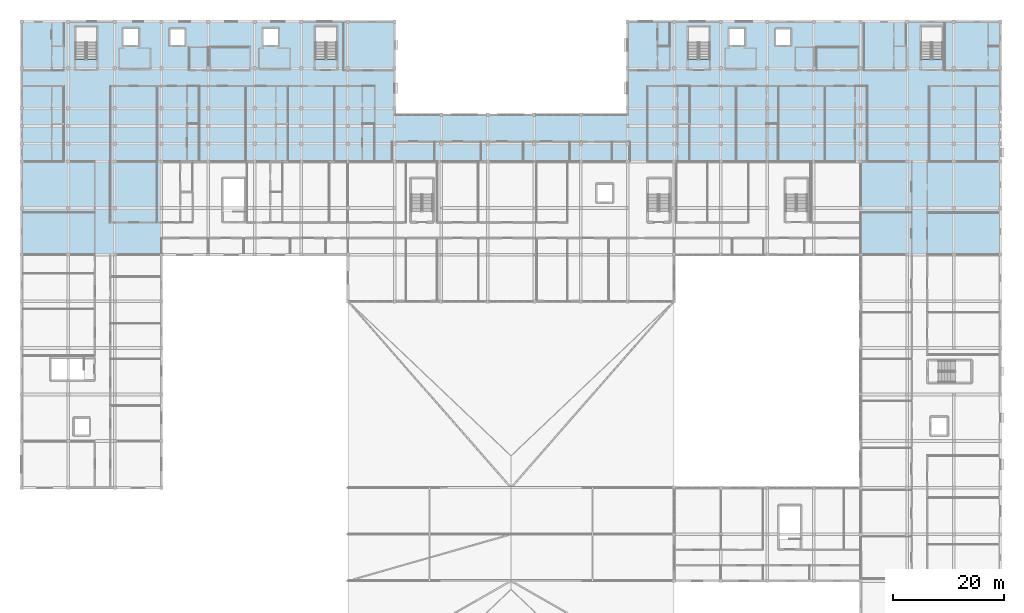
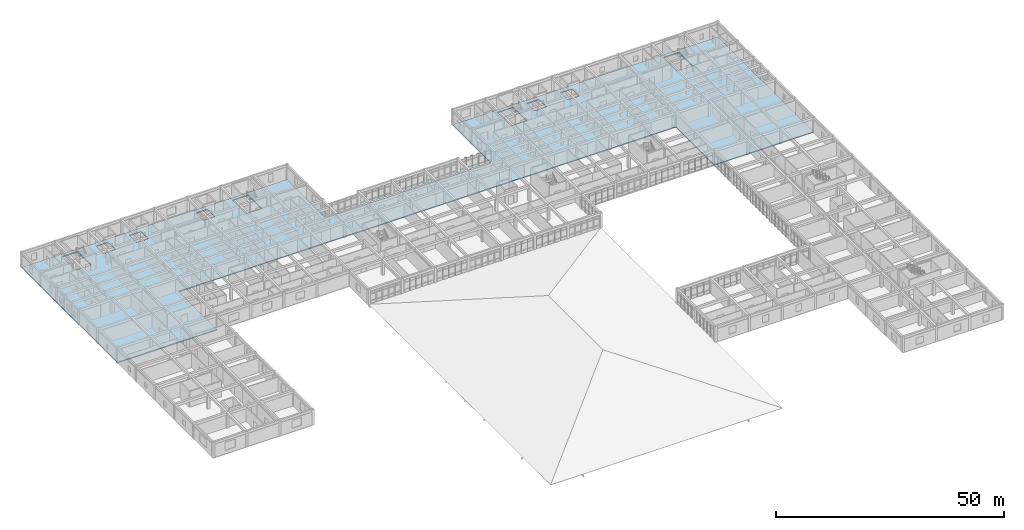
# One storey, part 38 of 77: 1 slab.
"""IFC4 building model written with IfcOpenShell, lengths in metres."""

from ifc_helpers import new_model, si_unit, direction, frame, origin, place, context, subcontext, project, spatial, polyline, outline, extrude, material, layer, layer_set, type_object, element, save


model = new_model("IFC4")

# Units and contexts
model_context = context("Model", 3, precision=1e-05, world=origin(), true_north=direction((0.0, 1.0)))
body_context = subcontext(model_context, "Body", "Model", "MODEL_VIEW")
ifc_project = project(units=[si_unit("LENGTHUNIT", "METRE"), si_unit("AREAUNIT", "SQUARE_METRE"), si_unit("VOLUMEUNIT", "CUBIC_METRE"), si_unit("PLANEANGLEUNIT", "RADIAN"), si_unit("MASSUNIT", "GRAM", prefix="KILO")], contexts=[model_context])

# Site, building, storey
site_placement = place(None, origin())
site = spatial("IfcSite", under=ifc_project, at=site_placement, CompositionType="ELEMENT")
building_placement = place(site_placement, origin())
building = spatial("IfcBuilding", under=site, at=building_placement, Name="Varncliffe General Hospital", CompositionType="ELEMENT")
storey_placement = place(building_placement, frame((0.0, 0.0, 16.199951171875)))
storey = spatial("IfcBuildingStorey", under=building, at=storey_placement, Name="L03", CompositionType="ELEMENT", Elevation=16.199951171875)

# Slab
ifc_material = material(Name="Concrete C35/45 (CSA A23.1 35 MPa)", Category="concrete")
ifc_layer = layer(ifc_material, 0.260009765625)
ifc_layer_set = layer_set([ifc_layer], Name="Concrete C35/45 (CSA A23.1 35 MPa)")
slab_type = type_object("IfcSlabType", Name="Floor Slab SL55 (Int 260mm)", PredefinedType="FLOOR", material=ifc_layer_set)
slab_placement = place(storey_placement, frame((0.0, 0.0, -0.260009765625)))
element("IfcSlab", 1, at=slab_placement, inside=storey, type_object=slab_type, Name="L03 V6 Structural Floor Slab 1", PredefinedType="FLOOR", context=body_context, shape_type="SweptSolid", body=[
    extrude(outline(polyline([(0.0, 99.60009765625), (0.0, 124.800048828125), (67.199951171875, 124.800048828125), (67.199951171875, 108.0), (109.199951171875, 108.0), (109.199951171875, 124.800048828125), (176.39990234375, 124.800048828125), (176.39990234375, 99.60009765625), (176.39990234375, 82.800048828125), (151.199951171875, 82.800048828125), (151.199951171875, 99.60009765625), (109.199951171875, 99.60009765625), (67.199951171875, 99.60009765625), (25.199951171875, 99.60009765625), (25.199951171875, 82.800048828125), (0.0, 82.800048828125), (0.0, 99.60009765625)]), holes=[polyline([(13.60009765625, 118.0), (13.60009765625, 123.949951171875), (9.699951171875, 123.949951171875), (9.699951171875, 118.0), (13.60009765625, 118.0)]), polyline([(56.800048828125, 118.0), (56.800048828125, 123.949951171875), (52.89990234375, 123.949951171875), (52.89990234375, 118.0), (56.800048828125, 118.0)]), polyline([(124.0, 118.0), (124.0, 123.949951171875), (120.10009765625, 123.949951171875), (120.10009765625, 118.0), (124.0, 118.0)]), polyline([(166.0, 118.0), (166.0, 123.949951171875), (162.10009765625, 123.949951171875), (162.10009765625, 118.0), (166.0, 118.0)]), polyline([(18.199951171875, 120.39990234375), (21.199951171875, 120.39990234375), (21.199951171875, 123.699951171875), (18.199951171875, 123.699951171875), (18.199951171875, 120.39990234375)]), polyline([(43.39990234375, 120.39990234375), (46.39990234375, 120.39990234375), (46.39990234375, 123.699951171875), (43.39990234375, 123.699951171875), (43.39990234375, 120.39990234375)]), polyline([(127.39990234375, 120.39990234375), (130.39990234375, 120.39990234375), (130.39990234375, 123.699951171875), (127.39990234375, 123.699951171875), (127.39990234375, 120.39990234375)]), polyline([(26.60009765625, 120.39990234375), (29.5, 120.39990234375), (29.5, 123.60009765625), (26.60009765625, 123.60009765625), (26.60009765625, 120.39990234375)]), polyline([(135.800048828125, 120.39990234375), (138.699951171875, 120.39990234375), (138.699951171875, 123.60009765625), (135.800048828125, 123.60009765625), (135.800048828125, 120.39990234375)])]), origin(), (0.0, 0.0, 1.0), 0.260009765625),
])

save(model, "model.ifc")
